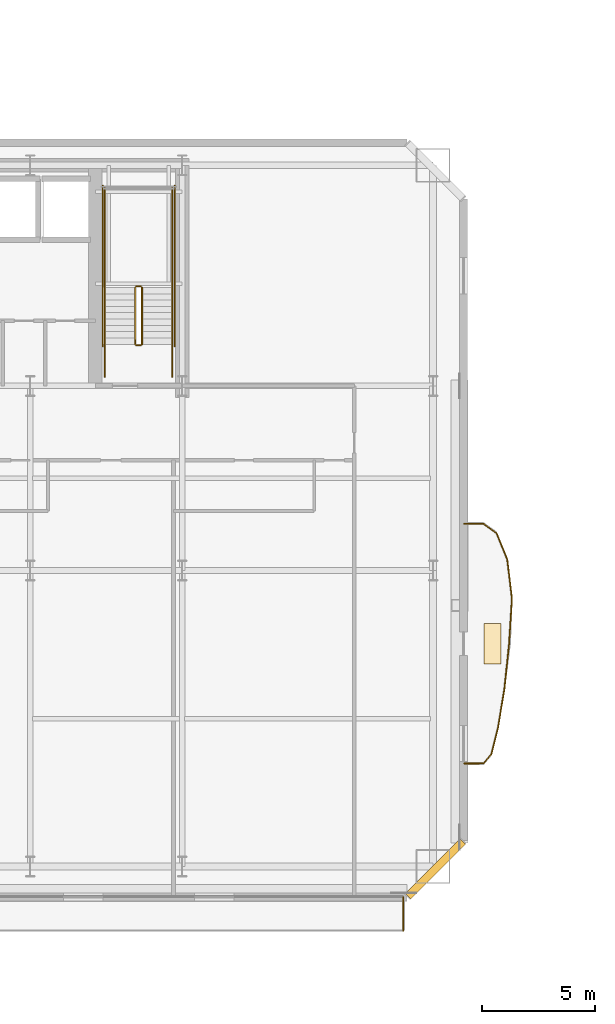
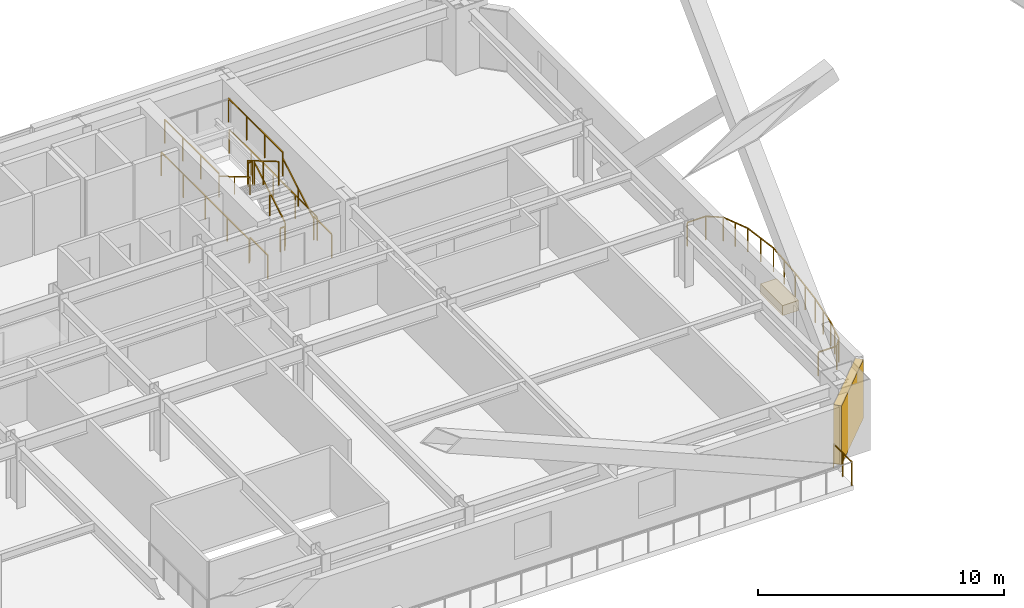
# One storey, part 19 of 25: 23 railings, 1 covering, 1 shading device.
"""IFC4 building model written with IfcOpenShell, lengths in metres."""

from ifc_helpers import new_model, si_unit, direction, frame, origin, origin_2d, place, context, subcontext, project, spatial, rectangle, extrude, material, layer, layer_set, type_object, element, save


model = new_model("IFC4")

# Units and contexts
model_context = context("Model", 3, precision=1e-05, world=origin(), true_north=direction((0.0, 1.0)))
body_context = subcontext(model_context, "Body", "Model", "MODEL_VIEW")
ifc_project = project(units=[si_unit("LENGTHUNIT", "METRE"), si_unit("AREAUNIT", "SQUARE_METRE"), si_unit("VOLUMEUNIT", "CUBIC_METRE"), si_unit("PLANEANGLEUNIT", "RADIAN"), si_unit("MASSUNIT", "GRAM", prefix="KILO")], contexts=[model_context])

# Site, building, storey
site_placement = place(None, origin())
site = spatial("IfcSite", under=ifc_project, at=site_placement, CompositionType="ELEMENT")
building_placement = place(site_placement, origin())
building = spatial("IfcBuilding", under=site, at=building_placement, Name="Haevon Station Towers", CompositionType="ELEMENT")
storey_placement = place(building_placement, frame((0.0, 0.0, 50.39990234375)))
storey = spatial("IfcBuildingStorey", under=building, at=storey_placement, Name="L12", CompositionType="ELEMENT", Elevation=50.39990234375)

# Railings
ifc_material_1 = material(Name="Steel S355", Category="steel")
railing_type_1 = type_object("IfcRailingType", Name="GRD-EXT1200", PredefinedType="GUARDRAIL", material=ifc_material_1)
railing_1_placement = place(storey_placement, frame((60.820068359375, 14.00244140625, 0.0)))
element("IfcRailing", 1, at=railing_1_placement, inside=storey, type_object=railing_type_1, Name="L12 Perimeter Guardrail 2", PredefinedType="GUARDRAIL", context=body_context, shape_type="SweptSolid", body=[
    extrude(rectangle(XDim=0.048095703125, YDim=0.048095703125, at=origin_2d()), frame((0.0, 0.0, 1.17578125), z_axis=(0.0, 1.0, 0.0), x_axis=(-1.0, 0.0, 0.0)), (0.0, 0.0, 1.0), 1.489990234375),
    extrude(rectangle(XDim=0.0419921875, YDim=0.0419921875, at=origin_2d()), origin(), (0.0, 0.0, 1.0), 1.15185546875),
    extrude(rectangle(XDim=0.0419921875, YDim=0.0419921875, at=origin_2d()), frame((0.0, 0.7451171875, 0.0)), (0.0, 0.0, 1.0), 1.15185546875),
    extrude(rectangle(XDim=0.0419921875, YDim=0.0419921875, at=origin_2d()), frame((0.0, 1.489990234375, 0.0)), (0.0, 0.0, 1.0), 1.15185546875),
])
railing_2_placement = place(storey_placement, frame((63.5234375, 21.427734375, 0.0)))
element("IfcRailing", 2, at=railing_2_placement, inside=storey, type_object=railing_type_1, Name="L12 Perimeter Guardrail 1", PredefinedType="GUARDRAIL", context=body_context, shape_type="SweptSolid", body=[
    extrude(rectangle(XDim=0.048095703125, YDim=0.048095703125, at=origin_2d()), frame((0.0, 0.0, 1.17578125), z_axis=(0.999997476494, 0.002246554286, 0.0), x_axis=(-0.002246554286, 0.999997476494, 0.0)), (0.0, 0.0, 1.0), 0.869384765625),
    extrude(rectangle(XDim=0.0419921875, YDim=0.0419921875, at=origin_2d()), origin(), (0.0, 0.0, 1.0), 1.15185546875),
    extrude(rectangle(XDim=0.0419921875, YDim=0.0419921875, at=origin_2d()), frame((0.869384765625, 0.001953125, 0.0)), (0.0, 0.0, 1.0), 1.15185546875),
])
railing_3_placement = place(storey_placement, frame((64.392822265625, 21.4296875, 0.0)))
element("IfcRailing", 3, at=railing_3_placement, inside=storey, type_object=railing_type_1, Name="L12 Perimeter Guardrail 2", PredefinedType="GUARDRAIL", context=body_context, shape_type="SweptSolid", body=[
    extrude(rectangle(XDim=0.048095703125, YDim=0.048095703125, at=origin_2d()), frame((0.0, 0.0, 1.17578125), z_axis=(0.643618076679, 0.765346830772, 0.0), x_axis=(-0.765346830772, 0.643618076679, 0.0)), (0.0, 0.0, 1.0), 0.53759765625),
    extrude(rectangle(XDim=0.0419921875, YDim=0.0419921875, at=origin_2d()), origin(), (0.0, 0.0, 1.0), 1.15185546875),
    extrude(rectangle(XDim=0.0419921875, YDim=0.0419921875, at=origin_2d()), frame((0.345947265625, 0.411376953125, 0.0)), (0.0, 0.0, 1.0), 1.15185546875),
])
railing_4_placement = place(storey_placement, frame((64.73876953125, 21.841064453125, 0.0)))
element("IfcRailing", 4, at=railing_4_placement, inside=storey, type_object=railing_type_1, Name="L12 Perimeter Guardrail 3", PredefinedType="GUARDRAIL", context=body_context, shape_type="SweptSolid", body=[
    extrude(rectangle(XDim=0.048095703125, YDim=0.048095703125, at=origin_2d()), frame((0.0, 0.0, 1.17578125), z_axis=(0.243202070488, 0.969975645524, 0.0), x_axis=(-0.969975645524, 0.243202070488, 0.0)), (0.0, 0.0, 1.0), 1.20654296875),
    extrude(rectangle(XDim=0.0419921875, YDim=0.0419921875, at=origin_2d()), origin(), (0.0, 0.0, 1.0), 1.15185546875),
    extrude(rectangle(XDim=0.0419921875, YDim=0.0419921875, at=origin_2d()), frame((0.146728515625, 0.585205078125, 0.0)), (0.0, 0.0, 1.0), 1.15185546875),
    extrude(rectangle(XDim=0.0419921875, YDim=0.0419921875, at=origin_2d()), frame((0.29345703125, 1.17041015625, 0.0)), (0.0, 0.0, 1.0), 1.15185546875),
])
railing_5_placement = place(storey_placement, frame((65.0322265625, 23.011474609375, 0.0)))
element("IfcRailing", 5, at=railing_5_placement, inside=storey, type_object=railing_type_1, Name="L12 Perimeter Guardrail 4", PredefinedType="GUARDRAIL", context=body_context, shape_type="SweptSolid", body=[
    extrude(rectangle(XDim=0.048095703125, YDim=0.048095703125, at=origin_2d()), frame((0.0, 0.0, 1.17578125), z_axis=(0.162232317079, 0.986752590721, 0.0), x_axis=(-0.986752590721, 0.162232317079, 0.0)), (0.0, 0.0, 1.0), 1.772705078125),
    extrude(rectangle(XDim=0.0419921875, YDim=0.0419921875, at=origin_2d()), origin(), (0.0, 0.0, 1.0), 1.15185546875),
    extrude(rectangle(XDim=0.0419921875, YDim=0.0419921875, at=origin_2d()), frame((0.143798828125, 0.87451171875, 0.0)), (0.0, 0.0, 1.0), 1.15185546875),
    extrude(rectangle(XDim=0.0419921875, YDim=0.0419921875, at=origin_2d()), frame((0.28759765625, 1.749267578125, 0.0)), (0.0, 0.0, 1.0), 1.15185546875),
])
railing_6_placement = place(storey_placement, frame((65.31982421875, 24.7607421875, 0.0)))
element("IfcRailing", 6, at=railing_6_placement, inside=storey, type_object=railing_type_1, Name="L12 Perimeter Guardrail 5", PredefinedType="GUARDRAIL", context=body_context, shape_type="SweptSolid", body=[
    extrude(rectangle(XDim=0.048095703125, YDim=0.048095703125, at=origin_2d()), frame((0.0, 0.0, 1.17578125), z_axis=(0.102549270738, 0.994727926154, 0.0), x_axis=(-0.994727926154, 0.102549270738, 0.0)), (0.0, 0.0, 1.0), 1.999755859375),
    extrude(rectangle(XDim=0.0419921875, YDim=0.0419921875, at=origin_2d()), origin(), (0.0, 0.0, 1.0), 1.15185546875),
    extrude(rectangle(XDim=0.0419921875, YDim=0.0419921875, at=origin_2d()), frame((0.1025390625, 0.99462890625, 0.0)), (0.0, 0.0, 1.0), 1.15185546875),
    extrude(rectangle(XDim=0.0419921875, YDim=0.0419921875, at=origin_2d()), frame((0.205078125, 1.9892578125, 0.0)), (0.0, 0.0, 1.0), 1.15185546875),
])
railing_7_placement = place(storey_placement, frame((65.52490234375, 26.75, 0.0)))
element("IfcRailing", 7, at=railing_7_placement, inside=storey, type_object=railing_type_1, Name="L12 Perimeter Guardrail 6", PredefinedType="GUARDRAIL", context=body_context, shape_type="SweptSolid", body=[
    extrude(rectangle(XDim=0.048095703125, YDim=0.048095703125, at=origin_2d()), frame((0.0, 0.0, 1.17578125), z_axis=(0.06356545678, 0.997977671446, 0.0), x_axis=(-0.997977671446, 0.06356545678, 0.0)), (0.0, 0.0, 1.0), 1.997314453125),
    extrude(rectangle(XDim=0.0419921875, YDim=0.0419921875, at=origin_2d()), origin(), (0.0, 0.0, 1.0), 1.15185546875),
    extrude(rectangle(XDim=0.0419921875, YDim=0.0419921875, at=origin_2d()), frame((0.0634765625, 0.99658203125, 0.0)), (0.0, 0.0, 1.0), 1.15185546875),
    extrude(rectangle(XDim=0.0419921875, YDim=0.0419921875, at=origin_2d()), frame((0.126953125, 1.9931640625, 0.0)), (0.0, 0.0, 1.0), 1.15185546875),
])
railing_8_placement = place(storey_placement, frame((65.65185546875, 28.7431640625, 0.0)))
element("IfcRailing", 8, at=railing_8_placement, inside=storey, type_object=railing_type_1, Name="L12 Perimeter Guardrail 7", PredefinedType="GUARDRAIL", context=body_context, shape_type="SweptSolid", body=[
    extrude(rectangle(XDim=0.048095703125, YDim=0.048095703125, at=origin_2d()), frame((0.0, 0.0, 1.17578125), z_axis=(-0.117590336191, 0.993062189812, 0.0), x_axis=(-0.993062189812, -0.117590336191, 0.0)), (0.0, 0.0, 1.0), 1.758544921875),
    extrude(rectangle(XDim=0.0419921875, YDim=0.0419921875, at=origin_2d()), origin(), (0.0, 0.0, 1.0), 1.15185546875),
    extrude(rectangle(XDim=0.0419921875, YDim=0.0419921875, at=origin_2d()), frame((-0.103515625, 0.873046875, 0.0)), (0.0, 0.0, 1.0), 1.15185546875),
    extrude(rectangle(XDim=0.0419921875, YDim=0.0419921875, at=origin_2d()), frame((-0.206787109375, 1.746337890625, 0.0)), (0.0, 0.0, 1.0), 1.15185546875),
])
railing_9_placement = place(storey_placement, frame((65.445068359375, 30.489501953125, 0.0)))
element("IfcRailing", 9, at=railing_9_placement, inside=storey, type_object=railing_type_1, Name="L12 Perimeter Guardrail 8", PredefinedType="GUARDRAIL", context=body_context, shape_type="SweptSolid", body=[
    extrude(rectangle(XDim=0.048095703125, YDim=0.048095703125, at=origin_2d()), frame((0.0, 0.0, 1.17578125), z_axis=(-0.379535160999, 0.925177313581, 0.0), x_axis=(-0.925177313581, -0.379535160999, 0.0)), (0.0, 0.0, 1.0), 1.263916015625),
    extrude(rectangle(XDim=0.0419921875, YDim=0.0419921875, at=origin_2d()), origin(), (0.0, 0.0, 1.0), 1.15185546875),
    extrude(rectangle(XDim=0.0419921875, YDim=0.0419921875, at=origin_2d()), frame((-0.23974609375, 0.584716796875, 0.0)), (0.0, 0.0, 1.0), 1.15185546875),
    extrude(rectangle(XDim=0.0419921875, YDim=0.0419921875, at=origin_2d()), frame((-0.479736328125, 1.16943359375, 0.0)), (0.0, 0.0, 1.0), 1.15185546875),
])
railing_10_placement = place(storey_placement, frame((64.96533203125, 31.658935546875, 0.0)))
element("IfcRailing", 10, at=railing_10_placement, inside=storey, type_object=railing_type_1, Name="L12 Perimeter Guardrail 9", PredefinedType="GUARDRAIL", context=body_context, shape_type="SweptSolid", body=[
    extrude(rectangle(XDim=0.048095703125, YDim=0.048095703125, at=origin_2d()), frame((0.0, 0.0, 1.17578125), z_axis=(-0.812092296848, 0.583529006477, 0.0), x_axis=(-0.583529006477, -0.812092296848, 0.0)), (0.0, 0.0, 1.0), 0.705078125),
    extrude(rectangle(XDim=0.0419921875, YDim=0.0419921875, at=origin_2d()), origin(), (0.0, 0.0, 1.0), 1.15185546875),
    extrude(rectangle(XDim=0.0419921875, YDim=0.0419921875, at=origin_2d()), frame((-0.572509765625, 0.411376953125, 0.0)), (0.0, 0.0, 1.0), 1.15185546875),
])
railing_11_placement = place(storey_placement, frame((64.392822265625, 32.0703125, 0.0)))
element("IfcRailing", 11, at=railing_11_placement, inside=storey, type_object=railing_type_1, Name="L12 Perimeter Guardrail 10", PredefinedType="GUARDRAIL", context=body_context, shape_type="SweptSolid", body=[
    extrude(rectangle(XDim=0.048095703125, YDim=0.048095703125, at=origin_2d()), frame((0.0, 0.0, 1.17578125), z_axis=(-0.999997476494, 0.002246554286, 0.0), x_axis=(-0.002246554286, -0.999997476494, 0.0)), (0.0, 0.0, 1.0), 0.869384765625),
    extrude(rectangle(XDim=0.0419921875, YDim=0.0419921875, at=origin_2d()), origin(), (0.0, 0.0, 1.0), 1.15185546875),
    extrude(rectangle(XDim=0.0419921875, YDim=0.0419921875, at=origin_2d()), frame((-0.869384765625, 0.001953125, 0.0)), (0.0, 0.0, 1.0), 1.15185546875),
])
railing_type_2 = type_object("IfcRailingType", Name="GRD-STR1200", PredefinedType="GUARDRAIL", material=ifc_material_1)
railing_12_placement = place(storey_placement, frame((49.219970703125, 40.050048828125, 0.1650390625)))
element("IfcRailing", 12, at=railing_12_placement, inside=storey, type_object=railing_type_2, Name="L12 ST2 Stair Guard 1", PredefinedType="GUARDRAIL", context=body_context, shape_type="SweptSolid", body=[
    extrude(rectangle(XDim=0.048095703125, YDim=0.048095703125, at=origin_2d()), frame((0.0, 0.0, 1.17578125), z_axis=(0.0, 0.86152411907, 0.507716645641), x_axis=(-1.0, 0.0, 0.0)), (0.0, 0.0, 1.0), 2.925048828125),
    extrude(rectangle(XDim=0.0419921875, YDim=0.0419921875, at=origin_2d()), origin(), (0.0, 0.0, 1.0), 1.15185546875),
    extrude(rectangle(XDim=0.0419921875, YDim=0.0419921875, at=origin_2d()), frame((0.0, 1.260009765625, 0.74267578125)), (0.0, 0.0, 1.0), 1.15185546875),
    extrude(rectangle(XDim=0.0419921875, YDim=0.0419921875, at=origin_2d()), frame((0.0, 2.52001953125, 1.485107421875)), (0.0, 0.0, 1.0), 1.15185546875),
])
railing_13_placement = place(storey_placement, frame((49.169921875, 42.6201171875, 1.650146484375)))
element("IfcRailing", 13, at=railing_13_placement, inside=storey, type_object=railing_type_2, Name="L12 ST2 Stair Guard 2", PredefinedType="GUARDRAIL", context=body_context, shape_type="SweptSolid", body=[
    extrude(rectangle(XDim=0.048095703125, YDim=0.048095703125, at=origin_2d()), frame((0.0, 0.0, 1.17578125), z_axis=(-1.0, 0.0, 0.0), x_axis=(0.0, -1.0, 0.0)), (0.0, 0.0, 1.0), 0.199951171875),
    extrude(rectangle(XDim=0.0419921875, YDim=0.0419921875, at=origin_2d()), origin(), (0.0, 0.0, 1.0), 1.15185546875),
    extrude(rectangle(XDim=0.0419921875, YDim=0.0419921875, at=origin_2d()), frame((-0.199951171875, 0.0, 0.0)), (0.0, 0.0, 1.0), 1.15185546875),
])
for number, where, name in (
    (14, (50.570068359375, 42.570068359375, 1.650146484375), "L12 ST2 Stair Guard 3"),
    (15, (47.570068359375, 42.570068359375, 1.650146484375), "L12 ST2 Stair Guard 4"),
):
    element("IfcRailing", number, at=place(storey_placement, frame(where)), inside=storey, type_object=railing_type_2, Name=name, PredefinedType="GUARDRAIL", context=body_context, shape_type="SweptSolid", body=[
        extrude(rectangle(XDim=0.048095703125, YDim=0.048095703125, at=origin_2d()), frame((0.0, 0.0, 1.17578125), z_axis=(0.0, 1.0, 0.0), x_axis=(-1.0, 0.0, 0.0)), (0.0, 0.0, 1.0), 4.429931640625),
        extrude(rectangle(XDim=0.0419921875, YDim=0.0419921875, at=origin_2d()), origin(), (0.0, 0.0, 1.0), 1.15185546875),
        extrude(rectangle(XDim=0.0419921875, YDim=0.0419921875, at=origin_2d()), frame((0.0, 1.4765625, 0.0)), (0.0, 0.0, 1.0), 1.15185546875),
        extrude(rectangle(XDim=0.0419921875, YDim=0.0419921875, at=origin_2d()), frame((0.0, 2.953369140625, 0.0)), (0.0, 0.0, 1.0), 1.15185546875),
        extrude(rectangle(XDim=0.0419921875, YDim=0.0419921875, at=origin_2d()), frame((0.0, 4.429931640625, 0.0)), (0.0, 0.0, 1.0), 1.15185546875),
    ])
railing_14_placement = place(storey_placement, frame((48.919921875, 42.570068359375, 1.815185546875)))
element("IfcRailing", 16, at=railing_14_placement, inside=storey, type_object=railing_type_2, Name="L12 ST2 Stair Guard 6", PredefinedType="GUARDRAIL", context=body_context, shape_type="SweptSolid", body=[
    extrude(rectangle(XDim=0.048095703125, YDim=0.048095703125, at=origin_2d()), frame((0.0, 0.0, 1.17578125), z_axis=(0.0, -0.861560626758, 0.507654692109), x_axis=(1.0, 0.0, 0.0)), (0.0, 0.0, 1.0), 2.925048828125),
    extrude(rectangle(XDim=0.0419921875, YDim=0.0419921875, at=origin_2d()), origin(), (0.0, 0.0, 1.0), 1.15185546875),
    extrude(rectangle(XDim=0.0419921875, YDim=0.0419921875, at=origin_2d()), frame((0.0, -1.260009765625, 0.742431640625)), (0.0, 0.0, 1.0), 1.15185546875),
    extrude(rectangle(XDim=0.0419921875, YDim=0.0419921875, at=origin_2d()), frame((0.0, -2.52001953125, 1.48486328125)), (0.0, 0.0, 1.0), 1.15185546875),
])
railing_15_placement = place(storey_placement, frame((49.169921875, 40.0, 0.0)))
element("IfcRailing", 17, at=railing_15_placement, inside=storey, type_object=railing_type_2, Name="L12 ST2 Stair Guard 7", PredefinedType="GUARDRAIL", context=body_context, shape_type="SweptSolid", body=[
    extrude(rectangle(XDim=0.048095703125, YDim=0.048095703125, at=origin_2d()), frame((0.0, 0.0, 1.17578125), z_axis=(-1.0, 0.0, 0.0), x_axis=(0.0, -1.0, 0.0)), (0.0, 0.0, 1.0), 0.199951171875),
    extrude(rectangle(XDim=0.0419921875, YDim=0.0419921875, at=origin_2d()), origin(), (0.0, 0.0, 1.0), 1.15185546875),
    extrude(rectangle(XDim=0.0419921875, YDim=0.0419921875, at=origin_2d()), frame((-0.199951171875, 0.0, 0.0)), (0.0, 0.0, 1.0), 1.15185546875),
])
for number, where, name in (
    (18, (50.570068359375, 38.60009765625, 0.0), "L12 ST2 Stair Guard 8"),
    (19, (47.570068359375, 38.60009765625, 0.0), "L12 ST2 Stair Guard 9"),
):
    element("IfcRailing", number, at=place(storey_placement, frame(where)), inside=storey, type_object=railing_type_2, Name=name, PredefinedType="GUARDRAIL", context=body_context, shape_type="SweptSolid", body=[
        extrude(rectangle(XDim=0.048095703125, YDim=0.048095703125, at=origin_2d()), frame((0.0, 0.0, 1.17578125), z_axis=(0.0, 1.0, 0.0), x_axis=(-1.0, 0.0, 0.0)), (0.0, 0.0, 1.0), 1.449951171875),
        extrude(rectangle(XDim=0.0419921875, YDim=0.0419921875, at=origin_2d()), origin(), (0.0, 0.0, 1.0), 1.15185546875),
        extrude(rectangle(XDim=0.0419921875, YDim=0.0419921875, at=origin_2d()), frame((0.0, 1.449951171875, 0.0)), (0.0, 0.0, 1.0), 1.15185546875),
    ])
for number, where, name in (
    (20, (50.669921875, 39.949951171875, 0.0), "L12 ST2 Stair Guard 10"),
    (21, (47.469970703125, 39.949951171875, 0.0), "L12 ST2 Stair Guard 11"),
):
    element("IfcRailing", number, at=place(storey_placement, frame(where)), inside=storey, type_object=railing_type_2, Name=name, PredefinedType="GUARDRAIL", context=body_context, shape_type="SweptSolid", body=[
        extrude(rectangle(XDim=0.048095703125, YDim=0.048095703125, at=origin_2d()), frame((0.0, 0.0, 1.17578125), z_axis=(0.0, 1.0, 0.0), x_axis=(-1.0, 0.0, 0.0)), (0.0, 0.0, 1.0), 7.150146484375),
        extrude(rectangle(XDim=0.0419921875, YDim=0.0419921875, at=origin_2d()), origin(), (0.0, 0.0, 1.0), 1.15185546875),
        extrude(rectangle(XDim=0.0419921875, YDim=0.0419921875, at=origin_2d()), frame((0.0, 1.78759765625, 0.0)), (0.0, 0.0, 1.0), 1.15185546875),
        extrude(rectangle(XDim=0.0419921875, YDim=0.0419921875, at=origin_2d()), frame((0.0, 3.5751953125, 0.0)), (0.0, 0.0, 1.0), 1.15185546875),
        extrude(rectangle(XDim=0.0419921875, YDim=0.0419921875, at=origin_2d()), frame((0.0, 5.362548828125, 0.0)), (0.0, 0.0, 1.0), 1.15185546875),
        extrude(rectangle(XDim=0.0419921875, YDim=0.0419921875, at=origin_2d()), frame((0.0, 7.150146484375, 0.0)), (0.0, 0.0, 1.0), 1.15185546875),
    ])
railing_type_3 = type_object("IfcRailingType", Name="HND-STR900", PredefinedType="HANDRAIL", material=ifc_material_1)
railing_16_placement = place(storey_placement, frame((50.570068359375, 40.050048828125, 0.1650390625)))
element("IfcRailing", 22, at=railing_16_placement, inside=storey, type_object=railing_type_3, Name="L12 ST2 Stair Handrail 1", PredefinedType="HANDRAIL", context=body_context, shape_type="SweptSolid", body=[
    extrude(rectangle(XDim=0.048095703125, YDim=0.048095703125, at=origin_2d()), frame((0.0, 0.0, 0.8759765625), z_axis=(0.0, 0.86152411907, 0.507716645641), x_axis=(-1.0, 0.0, 0.0)), (0.0, 0.0, 1.0), 2.925048828125),
    extrude(rectangle(XDim=0.0419921875, YDim=0.0419921875, at=origin_2d()), origin(), (0.0, 0.0, 1.0), 0.851806640625),
    extrude(rectangle(XDim=0.0419921875, YDim=0.0419921875, at=origin_2d()), frame((0.0, 1.260009765625, 0.74267578125)), (0.0, 0.0, 1.0), 0.851806640625),
    extrude(rectangle(XDim=0.0419921875, YDim=0.0419921875, at=origin_2d()), frame((0.0, 2.52001953125, 1.485107421875)), (0.0, 0.0, 1.0), 0.851806640625),
])
railing_17_placement = place(storey_placement, frame((47.570068359375, 42.570068359375, 1.815185546875)))
element("IfcRailing", 23, at=railing_17_placement, inside=storey, type_object=railing_type_3, Name="L12 ST2 Stair Handrail 2", PredefinedType="HANDRAIL", context=body_context, shape_type="SweptSolid", body=[
    extrude(rectangle(XDim=0.048095703125, YDim=0.048095703125, at=origin_2d()), frame((0.0, 0.0, 0.8759765625), z_axis=(0.0, -0.861560626758, 0.507654692109), x_axis=(1.0, 0.0, 0.0)), (0.0, 0.0, 1.0), 2.925048828125),
    extrude(rectangle(XDim=0.0419921875, YDim=0.0419921875, at=origin_2d()), origin(), (0.0, 0.0, 1.0), 0.851806640625),
    extrude(rectangle(XDim=0.0419921875, YDim=0.0419921875, at=origin_2d()), frame((0.0, -1.260009765625, 0.742431640625)), (0.0, 0.0, 1.0), 0.851806640625),
    extrude(rectangle(XDim=0.0419921875, YDim=0.0419921875, at=origin_2d()), frame((0.0, -2.52001953125, 1.48486328125)), (0.0, 0.0, 1.0), 0.851806640625),
])

# Covering
ifc_material_2 = material(Name="Architectural planter GRC", Category="concrete")
ifc_layer_1 = layer(ifc_material_2, 0.550048828125)
ifc_layer_set_1 = layer_set([ifc_layer_1], Name="Architectural planter GRC")
covering_type = type_object("IfcCoveringType", Name="PLN-GRC550", PredefinedType="MOLDING", material=ifc_layer_set_1)
covering_placement = place(storey_placement, frame((64.783203125, 26.75, 0.0), z_axis=(0.0, 0.0, 1.0), x_axis=(1.0, 0.0, 0.0)))
element("IfcCovering", 24, at=covering_placement, inside=storey, type_object=covering_type, Name="Tower 1 L12 Scalloped Balcony PLANTER", PredefinedType="MOLDING", context=body_context, shape_type="SweptSolid", body=[
    extrude(rectangle(XDim=0.75, YDim=1.800048828125, at=origin_2d()), origin(), (0.0, 0.0, 1.0), 0.5),
])

# Shading device
ifc_material_3 = material(Name="Anodised aluminium 6063-T6", Category="aluminium")
ifc_layer_2 = layer(ifc_material_3, 0.139892578125)
ifc_layer_set_2 = layer_set([ifc_layer_2], Name="Anodised aluminium 6063-T6")
shading_device_type = type_object("IfcShadingDeviceType", Name="SHD-WIND-BAFFLE", PredefinedType="SHUTTER", material=ifc_layer_set_2)
shading_device_placement = place(storey_placement, frame((62.25, 16.75, 0.05029296875), z_axis=(0.0, 0.0, 1.0), x_axis=(-0.707106781187, -0.707106781187, 0.0)))
element("IfcShadingDevice", 25, at=shading_device_placement, inside=storey, type_object=shading_device_type, Name="Tower 1 L12 Wind-Corner Aerofoil Baffle SEC", PredefinedType="SHUTTER", context=body_context, shape_type="SweptSolid", body=[
    extrude(rectangle(XDim=3.435546875, YDim=0.340087890625, at=origin_2d()), origin(), (0.0, 0.0, 1.0), 2.929931640625),
])

save(model, "model.ifc")
